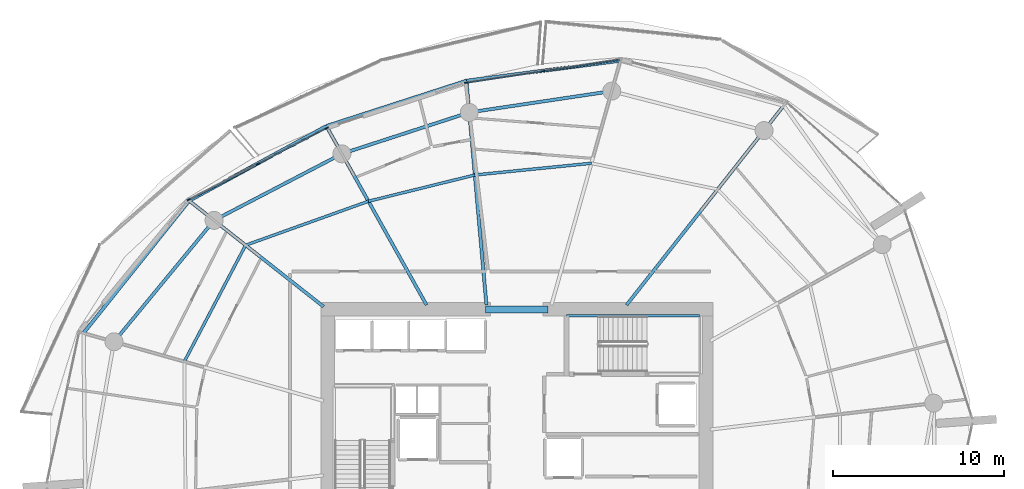
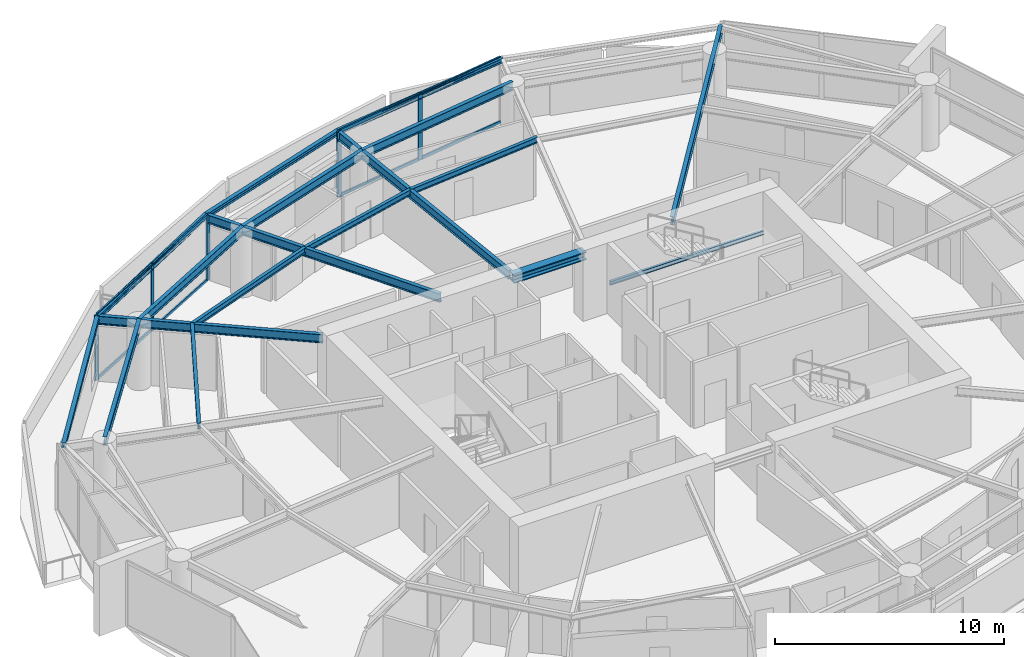
# One storey, part 8 of 20: 18 beams, 13 members, 2 elements without a shape of their own.
"""IFC4 building model written with IfcOpenShell, lengths in metres."""

from ifc_helpers import new_model, si_unit, direction, frame, origin, origin_2d, place, context, subcontext, project, spatial, rectangle, i_section, extrude, material, layer, layer_set, material_profile, profile_set, type_object, element, aggregate, save


model = new_model("IFC4")

# Units and contexts
model_context = context("Model", 3, precision=1e-05, world=origin(), true_north=direction((0.0, 1.0)))
body_context = subcontext(model_context, "Body", "Model", "MODEL_VIEW")
ifc_project = project(units=[si_unit("LENGTHUNIT", "METRE"), si_unit("AREAUNIT", "SQUARE_METRE"), si_unit("VOLUMEUNIT", "CUBIC_METRE"), si_unit("PLANEANGLEUNIT", "RADIAN"), si_unit("MASSUNIT", "GRAM", prefix="KILO")], contexts=[model_context])

# Site, building, storey
site_placement = place(None, origin())
site = spatial("IfcSite", under=ifc_project, at=site_placement, CompositionType="ELEMENT")
building_placement = place(site_placement, origin())
building = spatial("IfcBuilding", under=site, at=building_placement, Name="Kazma Halo Residences", CompositionType="ELEMENT")
storey_placement = place(building_placement, frame((0.0, 0.0, 154.050048828125)))
storey = spatial("IfcBuildingStorey", under=building, at=storey_placement, Name="L38", CompositionType="ELEMENT", Elevation=154.050048828125)

# Beams
ifc_material_1 = material(Name="Steel S355", Category="steel")
ifc_material_profile_1 = material_profile(ifc_material_1, i_section(OverallWidth=0.201904296875, OverallDepth=0.2470703125, WebThickness=0.00732421875, FlangeThickness=0.010986328125, FilletRadius=0.011962890625, at=origin_2d()), Name="W250x49.1")
ifc_profile_set_1 = profile_set([ifc_material_profile_1], Name="Steel S355")
beam_type_1 = type_object("IfcBeamType", Name="BM-BAL-CANT", PredefinedType="BEAM", material=ifc_profile_set_1)
beam_1_placement = place(storey_placement, frame((54.459228515625, 64.90234375, 3.37646484375), z_axis=(-0.991489228614, -0.130188745839, 0.0), x_axis=(0.130188745839, -0.991489228614, 0.0)))
element("IfcBeam", 1, at=beam_1_placement, inside=storey, type_object=beam_type_1, Name="L38 wave-balcony tie beam 03", PredefinedType="BEAM", context=body_context, shape_type="SweptSolid", body=[
    extrude(i_section(OverallWidth=0.201904296875, OverallDepth=0.2470703125, WebThickness=0.00732421875, FlangeThickness=0.010986328125, FilletRadius=0.011962890625, at=origin_2d()), origin(), (0.0, 0.0, 1.0), 9.053955078125),
])
beam_2_placement = place(storey_placement, frame((45.482421875, 63.7236328125, 3.37646484375), z_axis=(-0.951458235255, -0.307777885115, 0.0), x_axis=(0.307777885115, -0.951458235255, 0.0)))
element("IfcBeam", 2, at=beam_2_placement, inside=storey, type_object=beam_type_1, Name="L38 wave-balcony tie beam 04", PredefinedType="BEAM", context=body_context, shape_type="SweptSolid", body=[
    extrude(i_section(OverallWidth=0.201904296875, OverallDepth=0.2470703125, WebThickness=0.00732421875, FlangeThickness=0.010986328125, FilletRadius=0.011962890625, at=origin_2d()), origin(), (0.0, 0.0, 1.0), 8.585205078125),
])
beam_3_placement = place(storey_placement, frame((37.31396484375, 61.081298828125, 3.37646484375), z_axis=(-0.878572913315, -0.477608245312, 0.0), x_axis=(0.477608245312, -0.878572913315, 0.0)))
element("IfcBeam", 3, at=beam_3_placement, inside=storey, type_object=beam_type_1, Name="L38 wave-balcony tie beam 05", PredefinedType="BEAM", context=body_context, shape_type="SweptSolid", body=[
    extrude(i_section(OverallWidth=0.201904296875, OverallDepth=0.2470703125, WebThickness=0.00732421875, FlangeThickness=0.010986328125, FilletRadius=0.011962890625, at=origin_2d()), origin(), (0.0, 0.0, 1.0), 9.107177734375),
])
beam_4_placement = place(storey_placement, frame((29.312744140625, 56.731689453125, 3.37646484375), z_axis=(-0.623742400336, -0.781629975131, 0.0), x_axis=(0.781629975131, -0.623742400336, 0.0)))
element("IfcBeam", 4, at=beam_4_placement, inside=storey, type_object=beam_type_1, Name="L38 wave-balcony tie beam 06", PredefinedType="BEAM", context=body_context, shape_type="SweptSolid", body=[
    extrude(i_section(OverallWidth=0.201904296875, OverallDepth=0.2470703125, WebThickness=0.00732421875, FlangeThickness=0.010986328125, FilletRadius=0.011962890625, at=origin_2d()), origin(), (0.0, 0.0, 1.0), 9.880859375),
])
ifc_material_profile_2 = material_profile(ifc_material_1, i_section(OverallWidth=0.408935546875, OverallDepth=0.425048828125, WebThickness=0.03271484375, FlangeThickness=0.052490234375, FilletRadius=0.02001953125, at=origin_2d()), Name="W360x421")
ifc_profile_set_2 = profile_set([ifc_material_profile_2], Name="Steel S355")
beam_type_2 = type_object("IfcBeamType", Name="BM-CORE-W360H", PredefinedType="BEAM", material=ifc_profile_set_2)
beam_5_placement = place(storey_placement, frame((46.60009765625, 50.39990234375, 3.287353515625), z_axis=(1.0, 0.0, 0.0), x_axis=(0.0, 1.0, 0.0)))
element("IfcBeam", 5, at=beam_5_placement, inside=storey, type_object=beam_type_2, Name="L38 core coupling beam N", PredefinedType="BEAM", context=body_context, shape_type="SweptSolid", body=[
    extrude(i_section(OverallWidth=0.408935546875, OverallDepth=0.425048828125, WebThickness=0.03271484375, FlangeThickness=0.052490234375, FilletRadius=0.02001953125, at=origin_2d()), origin(), (0.0, 0.0, 1.0), 3.64990234375),
])
ifc_material_profile_3 = material_profile(ifc_material_1, i_section(OverallWidth=0.18994140625, OverallDepth=0.45703125, WebThickness=0.009033203125, FlangeThickness=0.014404296875, FilletRadius=0.01611328125, at=origin_2d()), Name="W460x74")
ifc_profile_set_3 = profile_set([ifc_material_profile_3], Name="Steel S355")
beam_type_3 = type_object("IfcBeamType", Name="BM-RAD-W460", PredefinedType="BEAM", material=ifc_profile_set_3)
beam_6_placement = place(storey_placement, frame((54.819091796875, 50.64990234375, 3.271484375), z_axis=(0.619094498239, 0.785316498139, 0.0), x_axis=(-0.785316498139, 0.619094498239, 0.0)))
element("IfcBeam", 6, at=beam_6_placement, inside=storey, type_object=beam_type_3, Name="L38 radial floor beam 02", PredefinedType="BEAM", context=body_context, shape_type="SweptSolid", body=[
    extrude(i_section(OverallWidth=0.18994140625, OverallDepth=0.45703125, WebThickness=0.009033203125, FlangeThickness=0.014404296875, FilletRadius=0.01611328125, at=origin_2d()), origin(), (0.0, 0.0, 1.0), 14.80517578125),
])
beam_7_placement = place(storey_placement, frame((46.64990234375, 50.64990234375, 3.271484375), z_axis=(-0.088945777727, 0.996036469525, 0.0), x_axis=(-0.996036469525, -0.088945777727, 0.0)))
element("IfcBeam", 7, at=beam_7_placement, inside=storey, type_object=beam_type_3, Name="L38 radial floor beam 04", PredefinedType="BEAM", context=body_context, shape_type="SweptSolid", body=[
    extrude(i_section(OverallWidth=0.18994140625, OverallDepth=0.45703125, WebThickness=0.009033203125, FlangeThickness=0.014404296875, FilletRadius=0.01611328125, at=origin_2d()), origin(), (0.0, 0.0, 1.0), 13.125732421875),
])
beam_8_placement = place(storey_placement, frame((43.15576171875, 50.64990234375, 3.271484375), z_axis=(-0.488617048735, 0.872498355119, 0.0), x_axis=(-0.872498355119, -0.488617048735, 0.0)))
element("IfcBeam", 8, at=beam_8_placement, inside=storey, type_object=beam_type_3, Name="L38 radial floor beam 05", PredefinedType="BEAM", context=body_context, shape_type="SweptSolid", body=[
    extrude(i_section(OverallWidth=0.18994140625, OverallDepth=0.45703125, WebThickness=0.009033203125, FlangeThickness=0.014404296875, FilletRadius=0.01611328125, at=origin_2d()), origin(), (0.0, 0.0, 1.0), 11.955810546875),
])
beam_9_placement = place(storey_placement, frame((37.14990234375, 50.553466796875, 3.271484375), z_axis=(-0.785321544409, 0.619088097032, 0.0), x_axis=(-0.619088097032, -0.785321544409, 0.0)))
element("IfcBeam", 9, at=beam_9_placement, inside=storey, type_object=beam_type_3, Name="L38 radial floor beam 06", PredefinedType="BEAM", context=body_context, shape_type="SweptSolid", body=[
    extrude(i_section(OverallWidth=0.18994140625, OverallDepth=0.45703125, WebThickness=0.009033203125, FlangeThickness=0.014404296875, FilletRadius=0.01611328125, at=origin_2d()), origin(), (0.0, 0.0, 1.0), 9.9794921875),
])
ifc_material_profile_4 = material_profile(ifc_material_1, i_section(OverallWidth=0.1650390625, OverallDepth=0.31005859375, WebThickness=0.005859375, FlangeThickness=0.009765625, FilletRadius=0.011962890625, at=origin_2d()), Name="W310x38.7")
ifc_profile_set_4 = profile_set([ifc_material_profile_4], Name="Steel S355")
beam_type_4 = type_object("IfcBeamType", Name="BM-SEC-W310B", PredefinedType="JOIST", material=ifc_profile_set_4)
beam_10_placement = place(storey_placement, frame((52.77099609375, 58.91650390625, 3.344970703125), z_axis=(-0.994979001613, -0.100083896557, 0.0), x_axis=(0.100083896557, -0.994979001613, 0.0)))
element("IfcBeam", 10, at=beam_10_placement, inside=storey, type_object=beam_type_4, Name="L38 circumferential floor joist 03", PredefinedType="JOIST", context=body_context, shape_type="SweptSolid", body=[
    extrude(i_section(OverallWidth=0.1650390625, OverallDepth=0.31005859375, WebThickness=0.005859375, FlangeThickness=0.009765625, FilletRadius=0.011962890625, at=origin_2d()), origin(), (0.0, 0.0, 1.0), 6.832763671875),
])
beam_11_placement = place(storey_placement, frame((45.97265625, 58.232666015625, 3.344970703125), z_axis=(-0.970830601663, -0.239766434004, 0.0), x_axis=(0.239766434004, -0.970830601663, 0.0)))
element("IfcBeam", 11, at=beam_11_placement, inside=storey, type_object=beam_type_4, Name="L38 circumferential floor joist 04", PredefinedType="JOIST", context=body_context, shape_type="SweptSolid", body=[
    extrude(i_section(OverallWidth=0.1650390625, OverallDepth=0.31005859375, WebThickness=0.005859375, FlangeThickness=0.009765625, FilletRadius=0.011962890625, at=origin_2d()), origin(), (0.0, 0.0, 1.0), 6.3916015625),
])
beam_12_placement = place(storey_placement, frame((39.767578125, 56.7001953125, 3.344970703125), z_axis=(-0.941534087973, -0.336917736525, 0.0), x_axis=(0.336917736525, -0.941534087973, 0.0)))
element("IfcBeam", 12, at=beam_12_placement, inside=storey, type_object=beam_type_4, Name="L38 circumferential floor joist 05", PredefinedType="JOIST", context=body_context, shape_type="SweptSolid", body=[
    extrude(i_section(OverallWidth=0.1650390625, OverallDepth=0.31005859375, WebThickness=0.005859375, FlangeThickness=0.009765625, FilletRadius=0.011962890625, at=origin_2d()), origin(), (0.0, 0.0, 1.0), 7.60791015625),
])
beam_13_placement = place(storey_placement, frame((32.6044921875, 54.136962890625, 3.344970703125), z_axis=(-0.466019257875, -0.884774576539, 0.0), x_axis=(0.884774576539, -0.466019257875, 0.0)))
element("IfcBeam", 13, at=beam_13_placement, inside=storey, type_object=beam_type_4, Name="L38 circumferential floor joist 06", PredefinedType="JOIST", context=body_context, shape_type="SweptSolid", body=[
    extrude(i_section(OverallWidth=0.1650390625, OverallDepth=0.31005859375, WebThickness=0.005859375, FlangeThickness=0.009765625, FilletRadius=0.011962890625, at=origin_2d()), origin(), (0.0, 0.0, 1.0), 7.670654296875),
])
ifc_material_profile_5 = material_profile(ifc_material_1, i_section(OverallWidth=0.18994140625, OverallDepth=0.45703125, WebThickness=0.009033203125, FlangeThickness=0.014404296875, FilletRadius=0.01611328125, at=origin_2d()), Name="W460x74")
ifc_profile_set_5 = profile_set([ifc_material_profile_5], Name="Steel S355")
beam_type_5 = type_object("IfcBeamType", Name="BM-SPN-W460", PredefinedType="BEAM", material=ifc_profile_set_5)
beam_14_placement = place(storey_placement, frame((53.95703125, 63.121826171875, 3.271484375), z_axis=(-0.989037147603, -0.147666924735, 0.0), x_axis=(0.147666924735, -0.989037147603, 0.0)))
element("IfcBeam", 14, at=beam_14_placement, inside=storey, type_object=beam_type_5, Name="L38 perimeter ring beam 03", PredefinedType="BEAM", context=body_context, shape_type="SweptSolid", body=[
    extrude(i_section(OverallWidth=0.18994140625, OverallDepth=0.45703125, WebThickness=0.009033203125, FlangeThickness=0.014404296875, FilletRadius=0.01611328125, at=origin_2d()), origin(), (0.0, 0.0, 1.0), 8.402099609375),
])
beam_15_placement = place(storey_placement, frame((45.64697265625, 61.881103515625, 3.271484375), z_axis=(-0.95105634578, -0.309017519167, 0.0), x_axis=(0.309017519167, -0.95105634578, 0.0)))
element("IfcBeam", 15, at=beam_15_placement, inside=storey, type_object=beam_type_5, Name="L38 perimeter ring beam 04", PredefinedType="BEAM", context=body_context, shape_type="SweptSolid", body=[
    extrude(i_section(OverallWidth=0.18994140625, OverallDepth=0.45703125, WebThickness=0.009033203125, FlangeThickness=0.014404296875, FilletRadius=0.01611328125, at=origin_2d()), origin(), (0.0, 0.0, 1.0), 7.811279296875),
])
beam_16_placement = place(storey_placement, frame((38.218017578125, 59.46728515625, 3.271484375), z_axis=(-0.886943099021, -0.461878706046, 0.0), x_axis=(0.461878706046, -0.886943099021, 0.0)))
element("IfcBeam", 16, at=beam_16_placement, inside=storey, type_object=beam_type_5, Name="L38 perimeter ring beam 05", PredefinedType="BEAM", context=body_context, shape_type="SweptSolid", body=[
    extrude(i_section(OverallWidth=0.18994140625, OverallDepth=0.45703125, WebThickness=0.009033203125, FlangeThickness=0.014404296875, FilletRadius=0.01611328125, at=origin_2d()), origin(), (0.0, 0.0, 1.0), 8.40234375),
])
beam_17_placement = place(storey_placement, frame((30.765625, 55.58642578125, 3.271484375), z_axis=(-0.636018723515, -0.771673624882, 0.0), x_axis=(0.771673624882, -0.636018723515, 0.0)))
element("IfcBeam", 17, at=beam_17_placement, inside=storey, type_object=beam_type_5, Name="L38 perimeter ring beam 06", PredefinedType="BEAM", context=body_context, shape_type="SweptSolid", body=[
    extrude(i_section(OverallWidth=0.18994140625, OverallDepth=0.45703125, WebThickness=0.009033203125, FlangeThickness=0.014404296875, FilletRadius=0.01611328125, at=origin_2d()), origin(), (0.0, 0.0, 1.0), 9.175048828125),
])
ifc_material_profile_6 = material_profile(ifc_material_1, i_section(OverallWidth=0.133056640625, OverallDepth=0.20703125, WebThickness=0.005859375, FlangeThickness=0.00830078125, FilletRadius=0.010009765625, at=origin_2d()), Name="W200x26.6")
ifc_profile_set_6 = profile_set([ifc_material_profile_6], Name="Steel S355")
beam_type_6 = type_object("IfcBeamType", Name="BM-TRIM-W200", PredefinedType="BEAM", material=ifc_profile_set_6)
beam_18_placement = place(storey_placement, frame((51.31005859375, 50.02001953125, 1.570068359375), z_axis=(1.0, 0.0, 0.0), x_axis=(0.0, 1.0, 0.0)))
element("IfcBeam", 18, at=beam_18_placement, inside=storey, type_object=beam_type_6, Name="L38 ST-02 landing north wall ledger", PredefinedType="BEAM", context=body_context, shape_type="SweptSolid", body=[
    extrude(i_section(OverallWidth=0.133056640625, OverallDepth=0.20703125, WebThickness=0.005859375, FlangeThickness=0.00830078125, FilletRadius=0.010009765625, at=origin_2d()), origin(), (0.0, 0.0, 1.0), 7.760009765625),
])

# Curtain wall, members
ifc_material_2 = material(Name="Aluminium AW-6063 T6 and Triple-Silver Low-E Glass", Category="aluminium")
ifc_layer = layer(ifc_material_2, 0.219970703125)
ifc_layer_set = layer_set([ifc_layer], Name="Aluminium AW-6063 T6 and Triple-Silver Low-E Glass")
curtain_wall_type = type_object("IfcCurtainWallType", Name="CW-SYS-4", PredefinedType="NOTDEFINED", material=ifc_layer_set)
curtain_wall_1_placement = place(storey_placement, origin())
curtain_wall_1 = element("IfcCurtainWall", 19, at=curtain_wall_1_placement, inside=storey, type_object=curtain_wall_type, Name="L38 unitised curtain wall B03", PredefinedType="NOTDEFINED")
ifc_material_3 = material(Name="Aluminium AW-6063 T6", Category="aluminium")
ifc_material_profile_7 = material_profile(ifc_material_3, rectangle(XDim=0.074951171875, YDim=0.219970703125, at=origin_2d()), Name="CWM-75x220")
ifc_profile_set_7 = profile_set([ifc_material_profile_7], Name="Aluminium AW-6063 T6")
member_type_1 = type_object("IfcMemberType", Name="CW-SYS-4-MUL", PredefinedType="MULLION", material=ifc_profile_set_7)
member_1_placement = place(storey_placement, frame((49.960205078125, 64.28857421875, 0.0), z_axis=(0.0, 0.0, 1.0), x_axis=(0.148821022686, -0.988864148004, 0.0)))
member_1 = element("IfcMember", 20, at=member_1_placement, type_object=member_type_1, Name="CWS-4 mullion 2", PredefinedType="MULLION", context=body_context, shape_type="SweptSolid", body=[
    extrude(rectangle(XDim=0.074951171875, YDim=0.219970703125, at=origin_2d()), origin(), (0.0, 0.0, 1.0), 3.5),
])
member_2_placement = place(storey_placement, frame((45.4794921875, 63.6142578125, 0.0), z_axis=(0.0, 0.0, 1.0), x_axis=(0.148821022686, -0.988864148004, 0.0)))
member_2 = element("IfcMember", 21, at=member_2_placement, type_object=member_type_1, Name="CWS-4 mullion 3", PredefinedType="MULLION", context=body_context, shape_type="SweptSolid", body=[
    extrude(rectangle(XDim=0.074951171875, YDim=0.219970703125, at=origin_2d()), origin(), (0.0, 0.0, 1.0), 3.5),
])

curtain_wall_2_placement = place(storey_placement, origin())
curtain_wall_2 = element("IfcCurtainWall", 22, at=curtain_wall_2_placement, inside=storey, type_object=curtain_wall_type, Name="L38 unitised curtain wall B05", PredefinedType="NOTDEFINED")
member_3_placement = place(storey_placement, frame((37.33447265625, 60.9677734375, 0.0), z_axis=(0.0, 0.0, 1.0), x_axis=(0.460837484552, -0.887484542306, 0.0)))
member_3 = element("IfcMember", 23, at=member_3_placement, type_object=member_type_1, Name="CWS-4 mullion 1", PredefinedType="MULLION", context=body_context, shape_type="SweptSolid", body=[
    extrude(rectangle(XDim=0.074951171875, YDim=0.219970703125, at=origin_2d()), origin(), (0.0, 0.0, 1.0), 3.5),
])
member_4_placement = place(storey_placement, frame((33.313232421875, 58.879638671875, 0.0), z_axis=(0.0, 0.0, 1.0), x_axis=(0.460837484552, -0.887484542306, 0.0)))
member_4 = element("IfcMember", 24, at=member_4_placement, type_object=member_type_1, Name="CWS-4 mullion 2", PredefinedType="MULLION", context=body_context, shape_type="SweptSolid", body=[
    extrude(rectangle(XDim=0.074951171875, YDim=0.219970703125, at=origin_2d()), origin(), (0.0, 0.0, 1.0), 3.5),
])
member_5_placement = place(storey_placement, frame((29.2919921875, 56.791748046875, 0.0), z_axis=(0.0, 0.0, 1.0), x_axis=(0.460837484552, -0.887484542306, 0.0)))
member_5 = element("IfcMember", 25, at=member_5_placement, type_object=member_type_1, Name="CWS-4 mullion 3", PredefinedType="MULLION", context=body_context, shape_type="SweptSolid", body=[
    extrude(rectangle(XDim=0.074951171875, YDim=0.219970703125, at=origin_2d()), origin(), (0.0, 0.0, 1.0), 3.5),
])

# Member
ifc_material_profile_8 = material_profile(ifc_material_3, rectangle(XDim=0.074951171875, YDim=0.1650390625, at=origin_2d()), Name="CWT-75x165")
ifc_profile_set_8 = profile_set([ifc_material_profile_8], Name="Aluminium AW-6063 T6")
member_type_2 = type_object("IfcMemberType", Name="CW-SYS-4-TRN", PredefinedType="USERDEFINED", material=ifc_profile_set_8)
member_6_placement = place(storey_placement, frame((54.403564453125, 64.957275390625, 0.037353515625), z_axis=(-0.988866721231, -0.148803923478, 0.0), x_axis=(0.148803923478, -0.988866721231, 0.0)))
member_6 = element("IfcMember", 26, at=member_6_placement, type_object=member_type_2, Name="CWS-4 transom 1.1", ObjectType="TRANSOM", PredefinedType="USERDEFINED", context=body_context, shape_type="SweptSolid", body=[
    extrude(rectangle(XDim=0.074951171875, YDim=0.1650390625, at=origin_2d()), origin(), (0.0, 0.0, 1.0), 4.4560546875),
])

member_7_placement = place(storey_placement, frame((54.403564453125, 64.957275390625, 3.46240234375), z_axis=(-0.988866721231, -0.148803923478, 0.0), x_axis=(0.148803923478, -0.988866721231, 0.0)))
member_7 = element("IfcMember", 27, at=member_7_placement, type_object=member_type_2, Name="CWS-4 transom 1.2", ObjectType="TRANSOM", PredefinedType="USERDEFINED", context=body_context, shape_type="SweptSolid", body=[
    extrude(rectangle(XDim=0.074951171875, YDim=0.1650390625, at=origin_2d()), origin(), (0.0, 0.0, 1.0), 4.4560546875),
])

member_8_placement = place(storey_placement, frame((49.923095703125, 64.282958984375, 0.037353515625), z_axis=(-0.988866721231, -0.148803923478, 0.0), x_axis=(0.148803923478, -0.988866721231, 0.0)))
member_8 = element("IfcMember", 28, at=member_8_placement, type_object=member_type_2, Name="CWS-4 transom 2.1", ObjectType="TRANSOM", PredefinedType="USERDEFINED", context=body_context, shape_type="SweptSolid", body=[
    extrude(rectangle(XDim=0.074951171875, YDim=0.1650390625, at=origin_2d()), origin(), (0.0, 0.0, 1.0), 4.4560546875),
])

member_9_placement = place(storey_placement, frame((49.923095703125, 64.282958984375, 3.46240234375), z_axis=(-0.988866721231, -0.148803923478, 0.0), x_axis=(0.148803923478, -0.988866721231, 0.0)))
member_9 = element("IfcMember", 29, at=member_9_placement, type_object=member_type_2, Name="CWS-4 transom 2.2", ObjectType="TRANSOM", PredefinedType="USERDEFINED", context=body_context, shape_type="SweptSolid", body=[
    extrude(rectangle(XDim=0.074951171875, YDim=0.1650390625, at=origin_2d()), origin(), (0.0, 0.0, 1.0), 4.4560546875),
])

aggregate(curtain_wall_1, [member_1, member_2, member_6, member_7, member_8, member_9])

member_10_placement = place(storey_placement, frame((37.30126953125, 60.950439453125, 0.037353515625), z_axis=(-0.887484872803, -0.460836848077, 0.0), x_axis=(0.460836848077, -0.887484872803, 0.0)))
member_10 = element("IfcMember", 30, at=member_10_placement, type_object=member_type_2, Name="CWS-4 transom 1.1", ObjectType="TRANSOM", PredefinedType="USERDEFINED", context=body_context, shape_type="SweptSolid", body=[
    extrude(rectangle(XDim=0.074951171875, YDim=0.1650390625, at=origin_2d()), origin(), (0.0, 0.0, 1.0), 4.4560546875),
])

member_11_placement = place(storey_placement, frame((37.30126953125, 60.950439453125, 3.46240234375), z_axis=(-0.887484872803, -0.460836848077, 0.0), x_axis=(0.460836848077, -0.887484872803, 0.0)))
member_11 = element("IfcMember", 31, at=member_11_placement, type_object=member_type_2, Name="CWS-4 transom 1.2", ObjectType="TRANSOM", PredefinedType="USERDEFINED", context=body_context, shape_type="SweptSolid", body=[
    extrude(rectangle(XDim=0.074951171875, YDim=0.1650390625, at=origin_2d()), origin(), (0.0, 0.0, 1.0), 4.4560546875),
])

member_12_placement = place(storey_placement, frame((33.280029296875, 58.862548828125, 0.037353515625), z_axis=(-0.887484872803, -0.460836848077, 0.0), x_axis=(0.460836848077, -0.887484872803, 0.0)))
member_12 = element("IfcMember", 32, at=member_12_placement, type_object=member_type_2, Name="CWS-4 transom 2.1", ObjectType="TRANSOM", PredefinedType="USERDEFINED", context=body_context, shape_type="SweptSolid", body=[
    extrude(rectangle(XDim=0.074951171875, YDim=0.1650390625, at=origin_2d()), origin(), (0.0, 0.0, 1.0), 4.4560546875),
])

member_13_placement = place(storey_placement, frame((33.280029296875, 58.862548828125, 3.46240234375), z_axis=(-0.887484872803, -0.460836848077, 0.0), x_axis=(0.460836848077, -0.887484872803, 0.0)))
member_13 = element("IfcMember", 33, at=member_13_placement, type_object=member_type_2, Name="CWS-4 transom 2.2", ObjectType="TRANSOM", PredefinedType="USERDEFINED", context=body_context, shape_type="SweptSolid", body=[
    extrude(rectangle(XDim=0.074951171875, YDim=0.1650390625, at=origin_2d()), origin(), (0.0, 0.0, 1.0), 4.4560546875),
])

aggregate(curtain_wall_2, [member_3, member_4, member_5, member_10, member_11, member_12, member_13])

save(model, "model.ifc")
